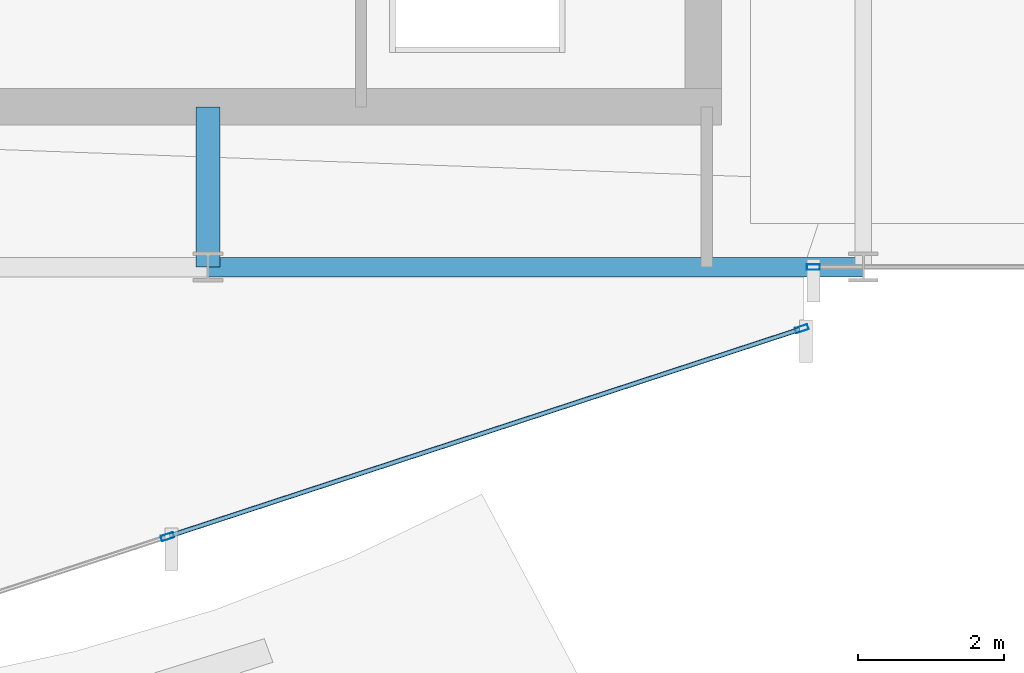
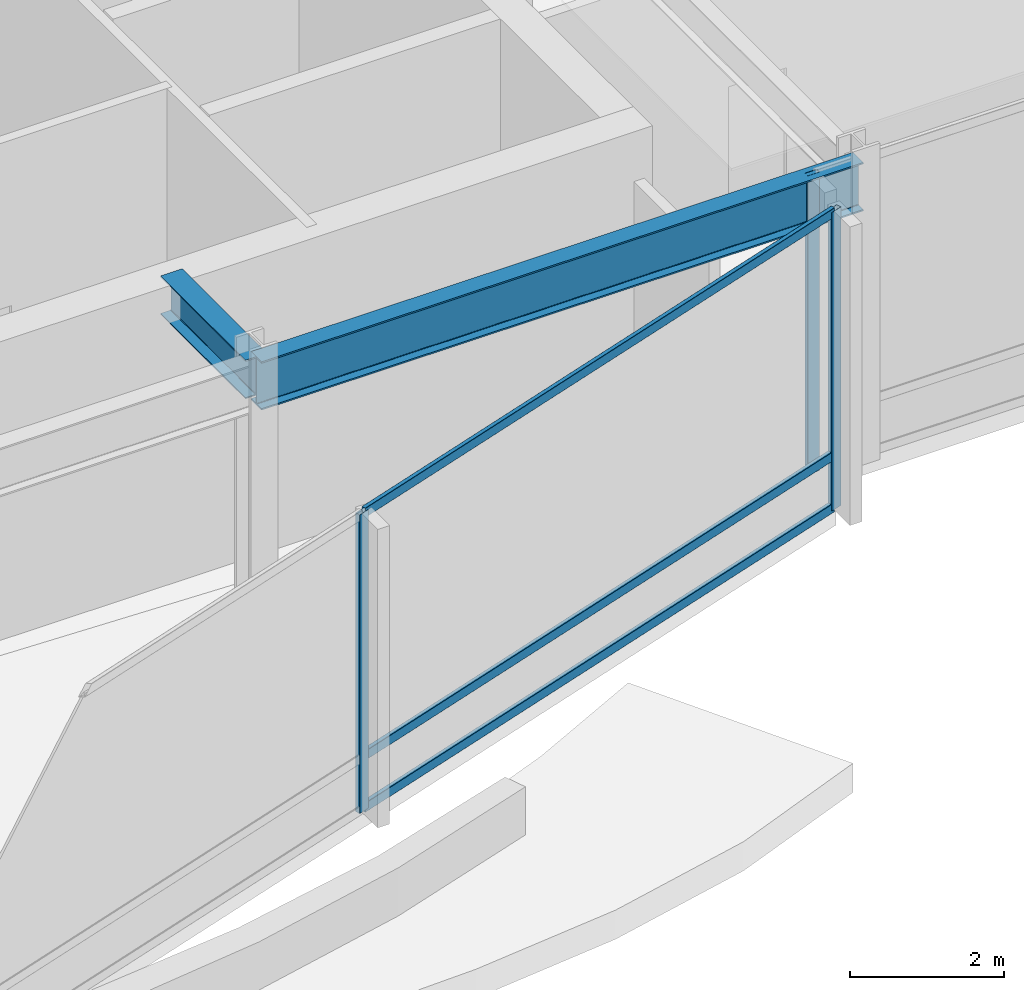
# One storey, part 10 of 29: 6 members, 2 beams, 2 elements without a shape of their own.
"""IFC4 building model written with IfcOpenShell, lengths in metres."""

from ifc_helpers import new_model, si_unit, direction, frame, origin, origin_2d, place, context, subcontext, project, spatial, hollow_rectangle, i_section, extrude, material, layer, layer_set, material_profile, profile_set, type_object, element, aggregate, save


model = new_model("IFC4")

# Units and contexts
model_context = context("Model", 3, precision=1e-05, world=origin(), true_north=direction((0.0, 1.0)))
body_context = subcontext(model_context, "Body", "Model", "MODEL_VIEW")
ifc_project = project(units=[si_unit("LENGTHUNIT", "METRE"), si_unit("AREAUNIT", "SQUARE_METRE"), si_unit("VOLUMEUNIT", "CUBIC_METRE"), si_unit("PLANEANGLEUNIT", "RADIAN"), si_unit("MASSUNIT", "GRAM", prefix="KILO")], contexts=[model_context])

# Site, building, storey
site_placement = place(None, origin())
site = spatial("IfcSite", under=ifc_project, at=site_placement, CompositionType="ELEMENT")
building_placement = place(site_placement, origin())
building = spatial("IfcBuilding", under=site, at=building_placement, Name="Solvaryn Broadcast Tower", CompositionType="ELEMENT")
storey_placement = place(building_placement, frame((0.0, 0.0, 169.199951171875)))
storey = spatial("IfcBuildingStorey", under=building, at=storey_placement, Name="L42", CompositionType="ELEMENT", Elevation=169.199951171875)

# Beams
ifc_material_1 = material(Name="Steel ASTM A992 Grade 50", Category="steel")
ifc_material_profile_1 = material_profile(ifc_material_1, i_section(OverallWidth=0.323974609375, OverallDepth=0.611083984375, WebThickness=0.0126953125, FlangeThickness=0.01904296875, FilletRadius=0.014892578125, at=origin_2d()))
ifc_profile_set_1 = profile_set([ifc_material_profile_1], Name="Steel ASTM A992 Grade 50")
beam_type_1 = type_object("IfcBeamType", Name="BM-B1-W24X104", PredefinedType="BEAM", material=ifc_profile_set_1)
beam_1_placement = place(storey_placement, frame((36.0, 9.0, 4.41455078125), z_axis=(0.0, 1.0, 0.0), x_axis=(-1.0, 0.0, 0.0)))
element("IfcBeam", 1, at=beam_1_placement, inside=storey, type_object=beam_type_1, Name="L42 Core Tie Beam CTE1", PredefinedType="BEAM", context=body_context, shape_type="SweptSolid", body=[
    extrude(i_section(OverallWidth=0.323974609375, OverallDepth=0.611083984375, WebThickness=0.0126953125, FlangeThickness=0.01904296875, FilletRadius=0.014892578125, at=origin_2d()), origin(), (0.0, 0.0, 1.0), 2.199951171875),
])
ifc_material_2 = material(Name="Steel ASTM A992 Grade 50", Category="steel")
ifc_material_profile_2 = material_profile(ifc_material_2, i_section(OverallWidth=0.26708984375, OverallDepth=0.76611328125, WebThickness=0.014892578125, FlangeThickness=0.023681640625, FilletRadius=0.01806640625, at=origin_2d()))
ifc_profile_set_2 = profile_set([ifc_material_profile_2], Name="Steel ASTM A992 Grade 50")
beam_type_2 = type_object("IfcBeamType", Name="BM-SP2-W30X124", PredefinedType="USERDEFINED", material=ifc_profile_set_2)
beam_2_placement = place(storey_placement, frame((36.0, 9.0, 4.337158203125), z_axis=(1.0, 0.0, 0.0), x_axis=(0.0, 1.0, 0.0)))
element("IfcBeam", 2, at=beam_2_placement, inside=storey, type_object=beam_type_2, Name="L42 Spandrel Beam X (36-45 @ Y=9)", ObjectType="SPANDREL", PredefinedType="USERDEFINED", context=body_context, shape_type="SweptSolid", body=[
    extrude(i_section(OverallWidth=0.26708984375, OverallDepth=0.76611328125, WebThickness=0.014892578125, FlangeThickness=0.023681640625, FilletRadius=0.01806640625, at=origin_2d()), origin(), (0.0, 0.0, 1.0), 9.0),
])

# Curtain wall, members
ifc_material_3 = material(Name="Aluminium and Terracotta Unitised Curtain Wall", Category="masonry")
ifc_layer = layer(ifc_material_3, 0.25)
ifc_layer_set = layer_set([ifc_layer], Name="CW-SYS4-SKYGARDEN")
curtain_wall_type = type_object("IfcCurtainWallType", Name="CW-SYS4-SKYGARDEN", PredefinedType="NOTDEFINED", material=ifc_layer_set)
curtain_wall_1_placement = place(storey_placement, origin())
curtain_wall_1 = element("IfcCurtainWall", 3, at=curtain_wall_1_placement, inside=storey, type_object=curtain_wall_type, Name="L42 Curtain Wall DR4", PredefinedType="NOTDEFINED")
ifc_material_4 = material(Name="Anodised Aluminium 6063-T6", Category="aluminium")
ifc_material_profile_3 = material_profile(ifc_material_4, hollow_rectangle(XDim=0.074951171875, YDim=0.179931640625, WallThickness=0.00390625, InnerFilletRadius=0.00390625, OuterFilletRadius=0.008056640625, at=origin_2d()))
ifc_profile_set_3 = profile_set([ifc_material_profile_3], Name="Anodised Aluminium 6063-T6")
member_type_1 = type_object("IfcMemberType", Name="CW-MUL-180", PredefinedType="MULLION", material=ifc_profile_set_3)
member_1_placement = place(storey_placement, frame((35.444091796875, 5.298095703125, 0.0), z_axis=(0.0, 0.0, 1.0), x_axis=(-0.311558717623, 0.950226902099, 0.0)))
member_1 = element("IfcMember", 4, at=member_1_placement, type_object=member_type_1, Name="CWS4 mullion 2", PredefinedType="MULLION", context=body_context, shape_type="SweptSolid", body=[
    extrude(hollow_rectangle(XDim=0.074951171875, YDim=0.179931640625, WallThickness=0.00390625, InnerFilletRadius=0.00390625, OuterFilletRadius=0.008056640625, at=origin_2d()), origin(), (0.0, 0.0, 1.0), 4.719970703125),
])
member_2_placement = place(storey_placement, frame((44.153564453125, 8.153564453125, 0.0), z_axis=(0.0, 0.0, 1.0), x_axis=(-0.311558717623, 0.950226902099, 0.0)))
member_2 = element("IfcMember", 5, at=member_2_placement, type_object=member_type_1, Name="CWS4 mullion 3", PredefinedType="MULLION", context=body_context, shape_type="SweptSolid", body=[
    extrude(hollow_rectangle(XDim=0.074951171875, YDim=0.179931640625, WallThickness=0.00390625, InnerFilletRadius=0.00390625, OuterFilletRadius=0.008056640625, at=origin_2d()), origin(), (0.0, 0.0, 1.0), 4.719970703125),
])

# Curtain wall, member
curtain_wall_2_placement = place(storey_placement, origin())
curtain_wall_2 = element("IfcCurtainWall", 6, at=curtain_wall_2_placement, inside=storey, type_object=curtain_wall_type, Name="L42 Curtain Wall S2", PredefinedType="NOTDEFINED")
member_3_placement = place(storey_placement, frame((44.31201171875, 9.0, 0.0), z_axis=(0.0, 0.0, 1.0), x_axis=(0.0, 1.0, 0.0)))
member_3 = element("IfcMember", 7, at=member_3_placement, type_object=member_type_1, Name="CWS4 mullion 1", PredefinedType="MULLION", context=body_context, shape_type="SweptSolid", body=[
    extrude(hollow_rectangle(XDim=0.074951171875, YDim=0.179931640625, WallThickness=0.00390625, InnerFilletRadius=0.00390625, OuterFilletRadius=0.008056640625, at=origin_2d()), origin(), (0.0, 0.0, 1.0), 4.719970703125),
])
aggregate(curtain_wall_2, [member_3])

# Member
ifc_material_5 = material(Name="Anodised Aluminium 6063-T6", Category="aluminium")
ifc_material_profile_4 = material_profile(ifc_material_5, hollow_rectangle(XDim=0.06494140625, YDim=0.14990234375, WallThickness=0.00390625, InnerFilletRadius=0.00390625, OuterFilletRadius=0.008056640625, at=origin_2d()))
ifc_profile_set_4 = profile_set([ifc_material_profile_4], Name="Anodised Aluminium 6063-T6")
member_type_2 = type_object("IfcMemberType", Name="CW-TRN-150", PredefinedType="USERDEFINED", material=ifc_profile_set_4)
member_4_placement = place(storey_placement, frame((35.472412109375, 5.307373046875, 0.030029296875), z_axis=(0.950229540973, 0.311550669172, 0.0), x_axis=(-0.311550669172, 0.950229540973, 0.0)))
member_4 = element("IfcMember", 8, at=member_4_placement, type_object=member_type_2, Name="CWS4 transom 2.1", ObjectType="TRANSOM", PredefinedType="USERDEFINED", context=body_context, shape_type="SweptSolid", body=[
    extrude(hollow_rectangle(XDim=0.06494140625, YDim=0.14990234375, WallThickness=0.00390625, InnerFilletRadius=0.00390625, OuterFilletRadius=0.008056640625, at=origin_2d()), origin(), (0.0, 0.0, 1.0), 9.105712890625),
])

member_5_placement = place(storey_placement, frame((35.472412109375, 5.307373046875, 0.85009765625), z_axis=(0.950229540973, 0.311550669172, 0.0), x_axis=(-0.311550669172, 0.950229540973, 0.0)))
member_5 = element("IfcMember", 9, at=member_5_placement, type_object=member_type_2, Name="CWS4 transom 2.2", ObjectType="TRANSOM", PredefinedType="USERDEFINED", context=body_context, shape_type="SweptSolid", body=[
    extrude(hollow_rectangle(XDim=0.06494140625, YDim=0.14990234375, WallThickness=0.00390625, InnerFilletRadius=0.00390625, OuterFilletRadius=0.008056640625, at=origin_2d()), origin(), (0.0, 0.0, 1.0), 9.105712890625),
])

member_6_placement = place(storey_placement, frame((35.472412109375, 5.307373046875, 4.68994140625), z_axis=(0.950229540973, 0.311550669172, 0.0), x_axis=(-0.311550669172, 0.950229540973, 0.0)))
member_6 = element("IfcMember", 10, at=member_6_placement, type_object=member_type_2, Name="CWS4 transom 2.3", ObjectType="TRANSOM", PredefinedType="USERDEFINED", context=body_context, shape_type="SweptSolid", body=[
    extrude(hollow_rectangle(XDim=0.06494140625, YDim=0.14990234375, WallThickness=0.00390625, InnerFilletRadius=0.00390625, OuterFilletRadius=0.008056640625, at=origin_2d()), origin(), (0.0, 0.0, 1.0), 9.105712890625),
])

aggregate(curtain_wall_1, [member_1, member_2, member_4, member_5, member_6])

save(model, "model.ifc")
